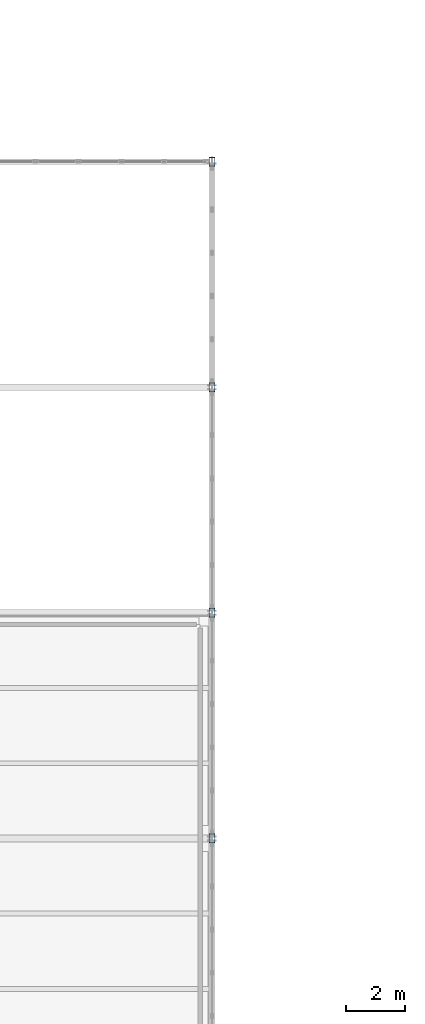
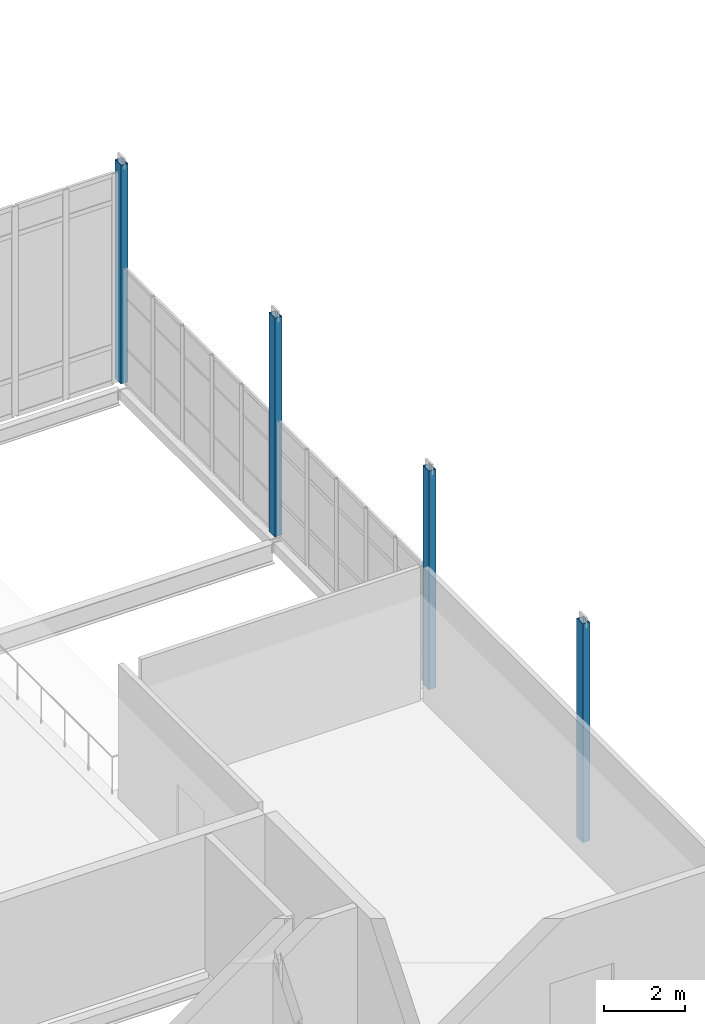
# One storey, part 9 of 166: 4 columns.
"""IFC4 building model written with IfcOpenShell, lengths in metres."""

from ifc_helpers import new_model, si_unit, direction, frame, origin, origin_2d, place, context, subcontext, project, spatial, hollow_rectangle, extrude, material, material_profile, profile_set, type_object, element, save


model = new_model("IFC4")

# Units and contexts
model_context = context("Model", 3, precision=1e-05, world=origin(), true_north=direction((0.0, 1.0)))
body_context = subcontext(model_context, "Body", "Model", "MODEL_VIEW")
ifc_project = project(units=[si_unit("LENGTHUNIT", "METRE"), si_unit("AREAUNIT", "SQUARE_METRE"), si_unit("VOLUMEUNIT", "CUBIC_METRE"), si_unit("PLANEANGLEUNIT", "RADIAN"), si_unit("MASSUNIT", "GRAM", prefix="KILO")], contexts=[model_context])

# Site, building, storey
site_placement = place(None, origin())
site = spatial("IfcSite", under=ifc_project, at=site_placement, CompositionType="ELEMENT")
building_placement = place(site_placement, origin())
building = spatial("IfcBuilding", under=site, at=building_placement, Name="Caisbarro Railhouse Central Library", CompositionType="ELEMENT")
storey_placement = place(building_placement, frame((0.0, 0.0, 9.360107421875)))
storey = spatial("IfcBuildingStorey", under=building, at=storey_placement, Name="L02", CompositionType="ELEMENT", Elevation=9.360107421875)

# Columns
ifc_material = material(Name="Steel ASTM A572 Grade 50", Category="steel")
ifc_material_profile = material_profile(ifc_material, hollow_rectangle(XDim=0.199951171875, YDim=0.300048828125, WallThickness=0.012451171875, at=origin_2d()), Name="HSS300X200X12.5")
ifc_profile_set = profile_set([ifc_material_profile], Name="Steel ASTM A572 Grade 50")
column_type = type_object("IfcColumnType", Name="COL-C09", PredefinedType="COLUMN", material=ifc_profile_set)
for number, where, z_axis, x_axis, name in (
    (1, (72.0, 38.0, 0.0), (0.0, 0.0, 1.0), (1.0, 0.0, 0.0), "C09 column L02 (72.0,38.0)"),
    (2, (72.0, 45.60009765625, 0.0), (0.0, 0.0, 1.0), (1.0, 0.0, 0.0), "C09 column L02 (72.0,45.6)"),
    (3, (72.0, 53.199951171875, 0.0), (0.0, 0.0, 1.0), (1.0, 0.0, 0.0), "C09 column L02 (72.0,53.2)"),
    (4, (72.0, 60.800048828125, 0.0), (0.0, 0.0, 1.0), (1.0, 0.0, 0.0), "C09 column L02 (72.0,60.8)"),
):
    element("IfcColumn", number, at=place(storey_placement, frame(where, z_axis=z_axis, x_axis=x_axis)), inside=storey, type_object=column_type, Name=name, PredefinedType="COLUMN", context=body_context, shape_type="SweptSolid", body=[
        extrude(hollow_rectangle(XDim=0.199951171875, YDim=0.300048828125, WallThickness=0.012451171875, at=origin_2d()), origin(), (0.0, 0.0, 1.0), 6.58984375),
    ])

save(model, "model.ifc")
